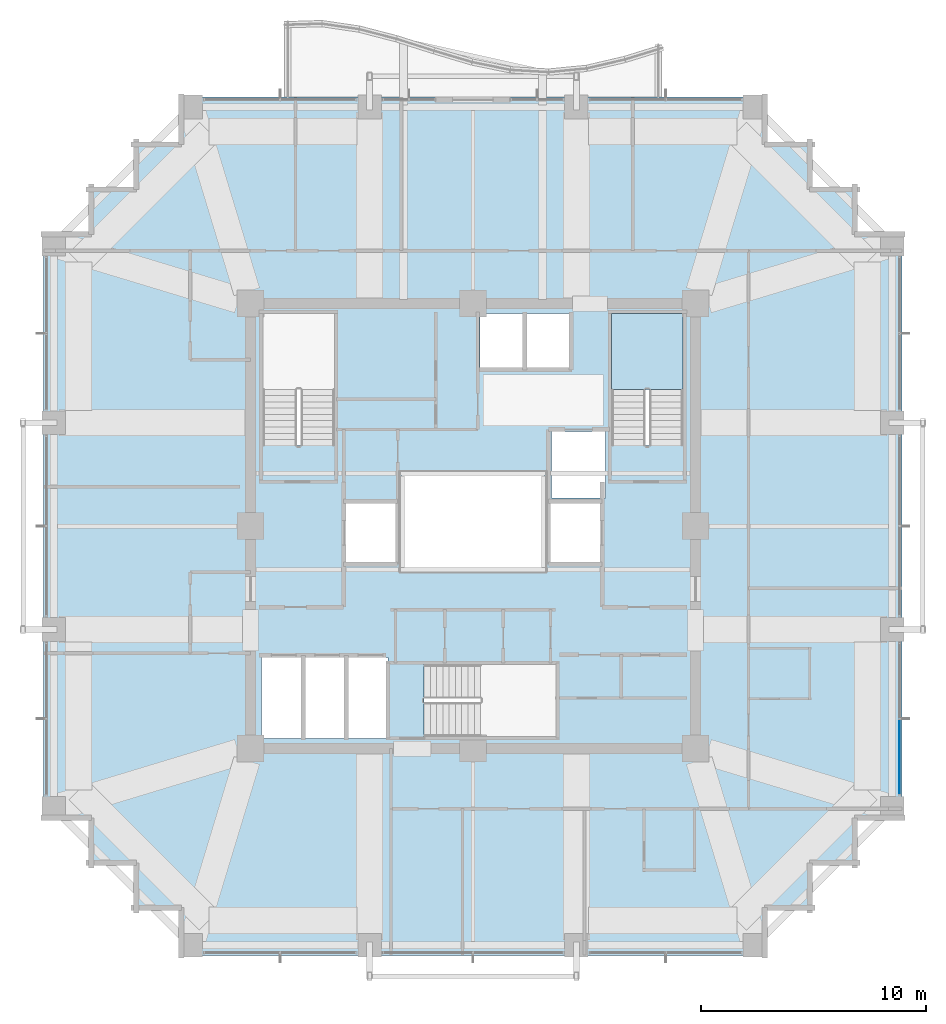
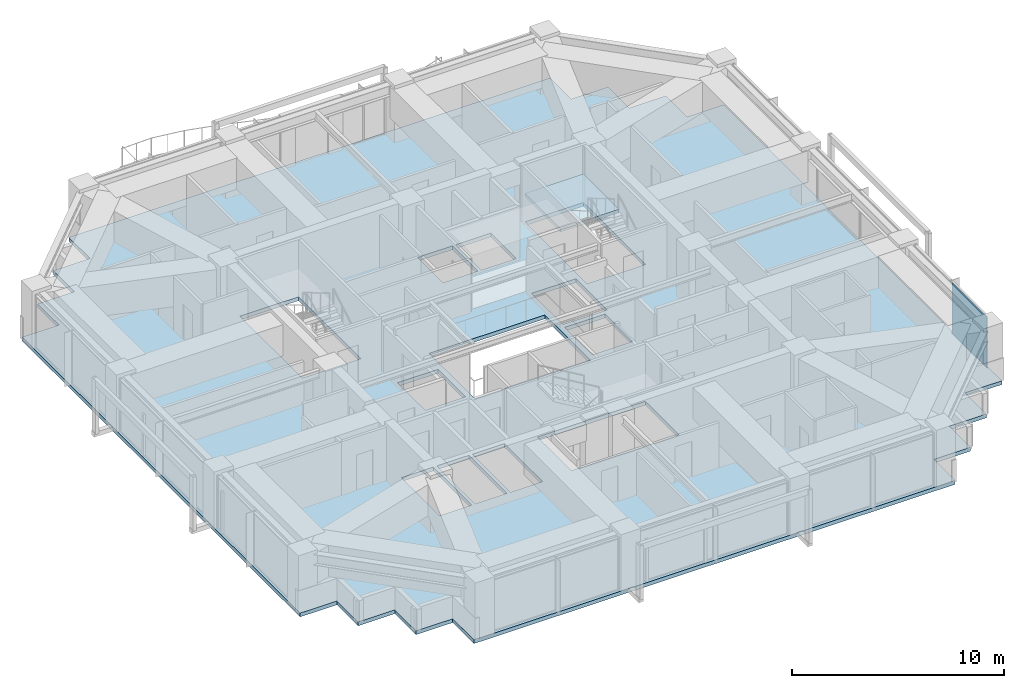
# One storey, part 21 of 28: 2 slabs, 1 plate, 2 elements without a shape of their own.
"""IFC4 building model written with IfcOpenShell, lengths in metres."""

from ifc_helpers import new_model, si_unit, direction, frame, origin, origin_2d, place, context, subcontext, project, spatial, polyline, rectangle, outline, extrude, material, layer, layer_set, type_object, element, aggregate, save


model = new_model("IFC4")

# Units and contexts
model_context = context("Model", 3, precision=1e-05, world=origin(), true_north=direction((0.0, 1.0)))
body_context = subcontext(model_context, "Body", "Model", "MODEL_VIEW")
ifc_project = project(units=[si_unit("LENGTHUNIT", "METRE"), si_unit("AREAUNIT", "SQUARE_METRE"), si_unit("VOLUMEUNIT", "CUBIC_METRE"), si_unit("PLANEANGLEUNIT", "RADIAN"), si_unit("MASSUNIT", "GRAM", prefix="KILO")], contexts=[model_context])

# Site, building, storey
site_placement = place(None, origin())
site = spatial("IfcSite", under=ifc_project, at=site_placement, CompositionType="ELEMENT")
building_placement = place(site_placement, origin())
building = spatial("IfcBuilding", under=site, at=building_placement, Name="Kolvaren Belvedere", CompositionType="ELEMENT")
storey_placement = place(building_placement, frame((0.0, 0.0, 125.0)))
storey = spatial("IfcBuildingStorey", under=building, at=storey_placement, Name="L36", CompositionType="ELEMENT", Elevation=125.0)

# Curtain wall, plate
ifc_material_1 = material(Name="Anodised pale-metal aluminium AA 6063-T6", Category="aluminium")
curtain_wall_type = type_object("IfcCurtainWallType", Name="CW-Z3-WAIST", PredefinedType="NOTDEFINED", material=ifc_material_1)
curtain_wall_placement = place(storey_placement, origin())
curtain_wall = element("IfcCurtainWall", 1, at=curtain_wall_placement, inside=storey, type_object=curtain_wall_type, Name="L36 Unitised Curtain Wall FCW-L36-E-B3", PredefinedType="NOTDEFINED")
ifc_material_2 = material(Name="Low-iron triple insulated glass", Category="glass")
ifc_layer_1 = layer(ifc_material_2, 0.028076171875)
ifc_layer_set_1 = layer_set([ifc_layer_1], Name="Low-iron triple insulated glass")
plate_type = type_object("IfcPlateType", Name="CW-PNL-VIS28", PredefinedType="CURTAIN_PANEL", material=ifc_layer_set_1)
plate_placement = place(storey_placement, frame((18.97998046875, -10.273681640625, 0.080078125), z_axis=(0.0, 0.0, 1.0), x_axis=(0.0, -1.0, 0.0)))
plate = element("IfcPlate", 2, at=plate_placement, type_object=plate_type, Name="FCW-L36-E-B3 Vision Glazing Panel 2", PredefinedType="CURTAIN_PANEL", context=body_context, shape_type="SweptSolid", body=[
    extrude(rectangle(XDim=3.3173828125, YDim=0.028076171875, at=origin_2d()), origin(), (0.0, 0.0, 1.0), 2.93994140625),
])
aggregate(curtain_wall, [plate])

# Slab
ifc_material_3 = material(Name="Concrete C50/60", Category="concrete")
ifc_layer_2 = layer(ifc_material_3, 0.219970703125)
ifc_layer_set_2 = layer_set([ifc_layer_2], Name="Concrete C50/60")
slab_type_1 = type_object("IfcSlabType", Name="SL-FLR-220", PredefinedType="FLOOR", material=ifc_layer_set_2)
slab_1_placement = place(storey_placement, frame((0.0, 0.0, -0.219970703125)))
element("IfcSlab", 3, at=slab_1_placement, inside=storey, type_object=slab_type_1, Name="L36 Primary Structural Slab", PredefinedType="FLOOR", context=body_context, shape_type="SweptSolid", body=[
    extrude(outline(polyline([(-13.10009765625, -19.10009765625), (13.10009765625, -19.10009765625), (13.10009765625, -17.10009765625), (15.10009765625, -17.10009765625), (15.10009765625, -15.10009765625), (17.10009765625, -15.10009765625), (17.10009765625, -13.10009765625), (19.10009765625, -13.10009765625), (19.10009765625, 13.10009765625), (17.10009765625, 13.10009765625), (17.10009765625, 15.10009765625), (15.10009765625, 15.10009765625), (15.10009765625, 17.10009765625), (13.10009765625, 17.10009765625), (13.10009765625, 19.10009765625), (-13.10009765625, 19.10009765625), (-13.10009765625, 17.10009765625), (-15.10009765625, 17.10009765625), (-15.10009765625, 15.10009765625), (-17.10009765625, 15.10009765625), (-17.10009765625, 13.10009765625), (-19.10009765625, 13.10009765625), (-19.10009765625, -13.10009765625), (-17.10009765625, -13.10009765625), (-17.10009765625, -15.10009765625), (-15.10009765625, -15.10009765625), (-15.10009765625, -17.10009765625), (-13.10009765625, -17.10009765625), (-13.10009765625, -19.10009765625)]), holes=[polyline([(-9.35009765625, 3.580078125), (-6.159912109375, 3.580078125), (-6.159912109375, 9.449951171875), (-9.35009765625, 9.449951171875), (-9.35009765625, 3.580078125)]), polyline([(6.159912109375, 3.580078125), (9.35009765625, 3.580078125), (9.35009765625, 9.449951171875), (6.159912109375, 9.449951171875), (6.159912109375, 3.580078125)]), polyline([(-2.169921875, -9.35009765625), (3.699951171875, -9.35009765625), (3.699951171875, -6.159912109375), (-2.169921875, -6.159912109375), (-2.169921875, -9.35009765625)]), polyline([(-5.64990234375, -1.60009765625), (-3.449951171875, -1.60009765625), (-3.449951171875, 1.0), (-5.64990234375, 1.0), (-5.64990234375, -1.60009765625)]), polyline([(3.5, 1.25), (5.89990234375, 1.25), (5.89990234375, 4.199951171875), (3.5, 4.199951171875), (3.5, 1.25)]), polyline([(3.449951171875, -1.60009765625), (5.64990234375, -1.60009765625), (5.64990234375, 1.0), (3.449951171875, 1.0), (3.449951171875, -1.60009765625)]), polyline([(-9.39990234375, -9.449951171875), (-7.64990234375, -9.449951171875), (-7.64990234375, -5.85009765625), (-9.39990234375, -5.85009765625), (-9.39990234375, -9.449951171875)]), polyline([(-7.469970703125, -9.449951171875), (-5.719970703125, -9.449951171875), (-5.719970703125, -5.85009765625), (-7.469970703125, -5.85009765625), (-7.469970703125, -9.449951171875)]), polyline([(-5.5400390625, -9.449951171875), (-3.7900390625, -9.449951171875), (-3.7900390625, -5.85009765625), (-5.5400390625, -5.85009765625), (-5.5400390625, -9.449951171875)]), polyline([(0.320068359375, 7.050048828125), (2.219970703125, 7.050048828125), (2.219970703125, 9.449951171875), (0.320068359375, 9.449951171875), (0.320068359375, 7.050048828125)]), polyline([(2.39990234375, 7.050048828125), (4.300048828125, 7.050048828125), (4.300048828125, 9.449951171875), (2.39990234375, 9.449951171875), (2.39990234375, 7.050048828125)]), polyline([(-3.14990234375, -1.949951171875), (3.14990234375, -1.949951171875), (3.14990234375, 2.35009765625), (-3.14990234375, 2.35009765625), (-3.14990234375, -1.949951171875)])]), origin(), (0.0, 0.0, 1.0), 0.219970703125),
])

# Stair, slab
ifc_material_4 = material(Name="Concrete C50/60", Category="concrete")
stair_type = type_object("IfcStairType", Name="ST-CORE-1520", PredefinedType="HALF_TURN_STAIR", material=ifc_material_4)
stair_placement = place(storey_placement, origin())
stair = element("IfcStair", 4, at=stair_placement, inside=storey, type_object=stair_type, Name="L36 Protected Exit Stair ST-2", PredefinedType="HALF_TURN_STAIR")
ifc_material_5 = material(Name="Concrete C50/60", Category="concrete")
ifc_layer_3 = layer(ifc_material_5, 0.260009765625)
ifc_layer_set_3 = layer_set([ifc_layer_3], Name="Concrete C50/60")
slab_type_2 = type_object("IfcSlabType", Name="SL-LAND-260", PredefinedType="LANDING", material=ifc_layer_set_3)
slab_2_placement = place(storey_placement, frame((0.0, 0.0, 1.449951171875)))
slab_2 = element("IfcSlab", 5, at=slab_2_placement, type_object=slab_type_2, Name="ST-2 landing 1", PredefinedType="LANDING", context=body_context, shape_type="SweptSolid", body=[
    extrude(outline(polyline([(9.35009765625, 6.090087890625), (9.35009765625, 9.449951171875), (6.159912109375, 9.449951171875), (6.159912109375, 6.090087890625), (9.35009765625, 6.090087890625)])), origin(), (0.0, 0.0, 1.0), 0.199951171875),
])
aggregate(stair, [slab_2])

save(model, "model.ifc")
